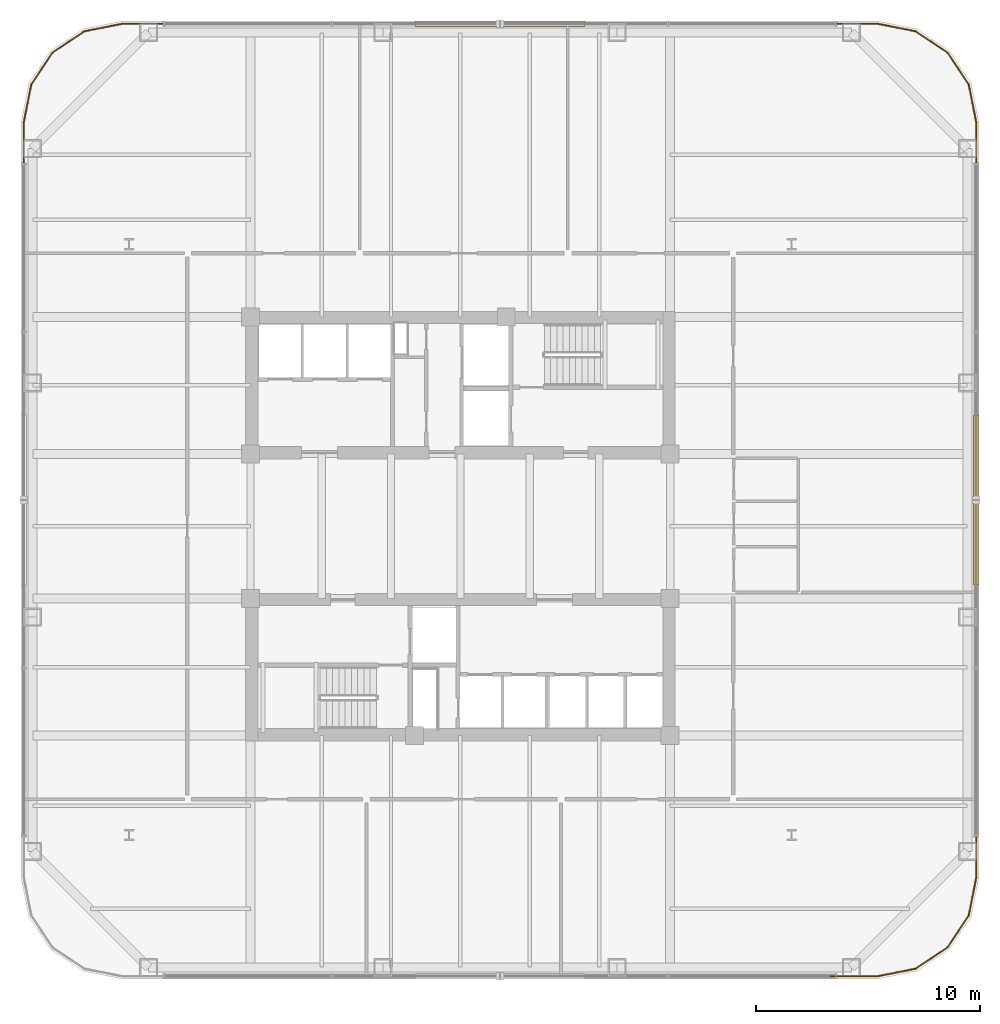
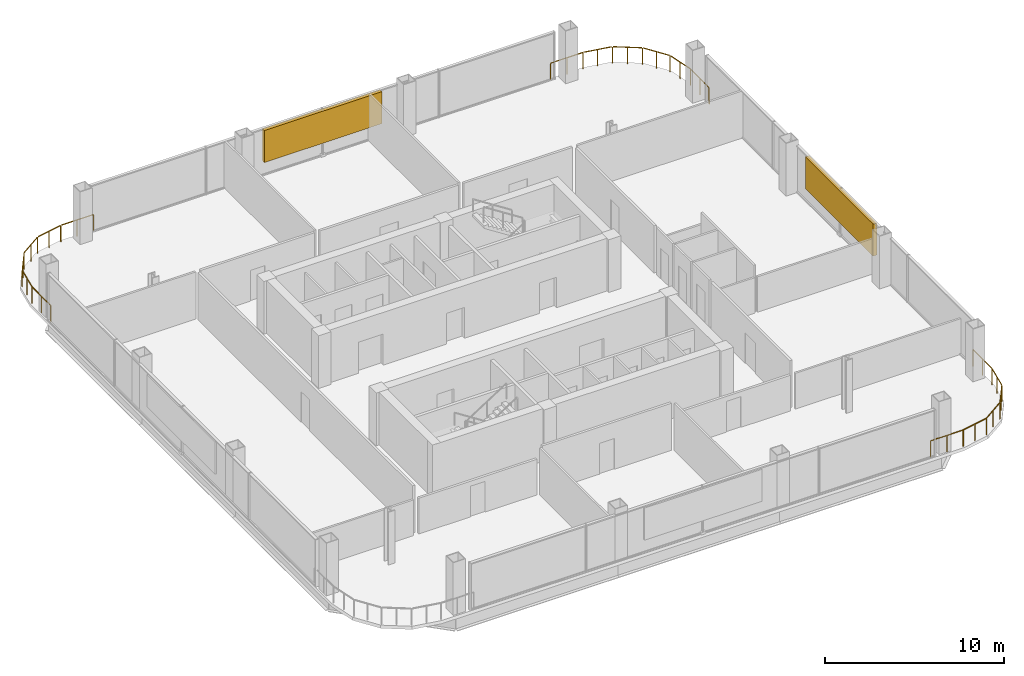
# One storey, part 24 of 24: 4 railings, 2 shading devices.
"""IFC4 building model written with IfcOpenShell, lengths in metres."""

from ifc_helpers import new_model, si_unit, direction, frame, origin, origin_2d, place, context, subcontext, project, spatial, rectangle, extrude, material, type_object, element, save


model = new_model("IFC4")

# Units and contexts
model_context = context("Model", 3, precision=1e-05, world=origin(), true_north=direction((0.0, 1.0)))
body_context = subcontext(model_context, "Body", "Model", "MODEL_VIEW")
ifc_project = project(units=[si_unit("LENGTHUNIT", "METRE"), si_unit("AREAUNIT", "SQUARE_METRE"), si_unit("VOLUMEUNIT", "CUBIC_METRE"), si_unit("PLANEANGLEUNIT", "RADIAN"), si_unit("MASSUNIT", "GRAM", prefix="KILO")], contexts=[model_context])

# Site, building, storey
site_placement = place(None, origin())
site = spatial("IfcSite", under=ifc_project, at=site_placement, CompositionType="ELEMENT")
building_placement = place(site_placement, origin())
building = spatial("IfcBuilding", under=site, at=building_placement, Name="Qhalaya Broadcast Tower", CompositionType="ELEMENT")
storey_placement = place(building_placement, frame((0.0, 0.0, 61.5)))
storey = spatial("IfcBuildingStorey", under=building, at=storey_placement, Name="L17", CompositionType="ELEMENT", Elevation=61.5)

# Railings
ifc_material_1 = material(Name="Powder-Coated Galvanised Steel", Category="steel")
railing_type = type_object("IfcRailingType", Name="Terrace, Sky-Pool & Lookout Glass Balustrade 1150", PredefinedType="BALUSTRADE", material=ifc_material_1)
railing_1_placement = place(storey_placement, frame((18.658203125, -19.510009765625, 0.0)))
element("IfcRailing", 1, at=railing_1_placement, inside=storey, type_object=railing_type, Name="L17 Rounded Corner Perimeter Guard 01", PredefinedType="BALUSTRADE", context=body_context, shape_type="SweptSolid", body=[
    extrude(rectangle(XDim=0.048095703125, YDim=0.048095703125, at=origin_2d()), frame((0.0, 0.0, 1.1259765625), z_axis=(-1.0, 0.0, 0.0), x_axis=(0.0, -1.0, 0.0)), (0.0, 0.0, 1.0), 2.1181640625),
    extrude(rectangle(XDim=0.0419921875, YDim=0.0419921875, at=origin_2d()), origin(), (0.0, 0.0, 1.0), 1.099853515625),
    extrude(rectangle(XDim=0.0419921875, YDim=0.0419921875, at=origin_2d()), frame((-1.05908203125, 0.0, 0.0)), (0.0, 0.0, 1.0), 1.099853515625),
    extrude(rectangle(XDim=0.0419921875, YDim=0.0419921875, at=origin_2d()), frame((-2.1181640625, 0.0, 0.0)), (0.0, 0.0, 1.0), 1.099853515625),
])
railing_2_placement = place(storey_placement, frame((-19.510009765625, 16.5400390625, 0.0)))
element("IfcRailing", 2, at=railing_2_placement, inside=storey, type_object=railing_type, Name="L17 Rounded Corner Perimeter Guard 03", PredefinedType="BALUSTRADE", context=body_context, shape_type="SweptSolid", body=[
    extrude(rectangle(XDim=0.048095703125, YDim=0.048095703125, at=origin_2d()), frame((0.0, 0.0, 1.1259765625), z_axis=(0.0, 1.0, 0.0), x_axis=(-1.0, 0.0, 0.0)), (0.0, 0.0, 1.0), 2.08935546875),
    extrude(rectangle(XDim=0.048095703125, YDim=0.048095703125, at=origin_2d()), frame((0.005615234375, 2.146484375, 1.1259765625), z_axis=(0.195024175165, 0.980798435511, 0.0), x_axis=(-0.980798435511, 0.195024175165, 0.0)), (0.0, 0.0, 1.0), 1.662353515625),
    extrude(rectangle(XDim=0.048095703125, YDim=0.048095703125, at=origin_2d()), frame((0.3515625, 3.8291015625, 1.1259765625), z_axis=(0.555590476887, 0.831456085426, 0.0), x_axis=(-0.831456085426, 0.555590476887, 0.0)), (0.0, 0.0, 1.0), 1.650390625),
    extrude(rectangle(XDim=0.048095703125, YDim=0.048095703125, at=origin_2d()), frame((1.308349609375, 5.241455078125, 1.1259765625), z_axis=(0.831390055854, 0.555689279209, 0.0), x_axis=(-0.555689279209, 0.831390055854, 0.0)), (0.0, 0.0, 1.0), 1.650390625),
    extrude(rectangle(XDim=0.048095703125, YDim=0.048095703125, at=origin_2d()), frame((2.73291015625, 6.18017578125, 1.1259765625), z_axis=(0.980803832953, 0.194997028864, 0.0), x_axis=(-0.194997028864, 0.980803832953, 0.0)), (0.0, 0.0, 1.0), 1.66259765625),
    extrude(rectangle(XDim=0.048095703125, YDim=0.048095703125, at=origin_2d()), frame((4.420654296875, 6.510009765625, 1.1259765625), z_axis=(1.0, 0.0, 0.0), x_axis=(0.0, 1.0, 0.0)), (0.0, 0.0, 1.0), 2.08935546875),
    extrude(rectangle(XDim=0.0419921875, YDim=0.0419921875, at=origin_2d()), origin(), (0.0, 0.0, 1.0), 1.099853515625),
    extrude(rectangle(XDim=0.0419921875, YDim=0.0419921875, at=origin_2d()), frame((0.0, 1.05908203125, 0.0)), (0.0, 0.0, 1.0), 1.099853515625),
    extrude(rectangle(XDim=0.0419921875, YDim=0.0419921875, at=origin_2d()), frame((0.0, 2.1181640625, 0.0)), (0.0, 0.0, 1.0), 1.099853515625),
    extrude(rectangle(XDim=0.0419921875, YDim=0.0419921875, at=origin_2d()), frame((0.167724609375, 2.961669921875, 0.0)), (0.0, 0.0, 1.0), 1.099853515625),
    extrude(rectangle(XDim=0.0419921875, YDim=0.0419921875, at=origin_2d()), frame((0.33544921875, 3.80517578125, 0.0)), (0.0, 0.0, 1.0), 1.099853515625),
    extrude(rectangle(XDim=0.0419921875, YDim=0.0419921875, at=origin_2d()), frame((0.81005859375, 4.51513671875, 0.0)), (0.0, 0.0, 1.0), 1.099853515625),
    extrude(rectangle(XDim=0.0419921875, YDim=0.0419921875, at=origin_2d()), frame((1.284423828125, 5.225341796875, 0.0)), (0.0, 0.0, 1.0), 1.099853515625),
    extrude(rectangle(XDim=0.0419921875, YDim=0.0419921875, at=origin_2d()), frame((1.99462890625, 5.699951171875, 0.0)), (0.0, 0.0, 1.0), 1.099853515625),
    extrude(rectangle(XDim=0.0419921875, YDim=0.0419921875, at=origin_2d()), frame((2.70458984375, 6.174560546875, 0.0)), (0.0, 0.0, 1.0), 1.099853515625),
    extrude(rectangle(XDim=0.0419921875, YDim=0.0419921875, at=origin_2d()), frame((3.54833984375, 6.34228515625, 0.0)), (0.0, 0.0, 1.0), 1.099853515625),
    extrude(rectangle(XDim=0.0419921875, YDim=0.0419921875, at=origin_2d()), frame((4.391845703125, 6.510009765625, 0.0)), (0.0, 0.0, 1.0), 1.099853515625),
    extrude(rectangle(XDim=0.0419921875, YDim=0.0419921875, at=origin_2d()), frame((5.450927734375, 6.510009765625, 0.0)), (0.0, 0.0, 1.0), 1.099853515625),
    extrude(rectangle(XDim=0.0419921875, YDim=0.0419921875, at=origin_2d()), frame((6.510009765625, 6.510009765625, 0.0)), (0.0, 0.0, 1.0), 1.099853515625),
])
railing_3_placement = place(storey_placement, frame((16.5400390625, 23.050048828125, 0.0)))
element("IfcRailing", 3, at=railing_3_placement, inside=storey, type_object=railing_type, Name="L17 Rounded Corner Perimeter Guard 04", PredefinedType="BALUSTRADE", context=body_context, shape_type="SweptSolid", body=[
    extrude(rectangle(XDim=0.048095703125, YDim=0.048095703125, at=origin_2d()), frame((0.0, 0.0, 1.1259765625), z_axis=(1.0, 0.0, 0.0), x_axis=(0.0, 1.0, 0.0)), (0.0, 0.0, 1.0), 2.08935546875),
    extrude(rectangle(XDim=0.048095703125, YDim=0.048095703125, at=origin_2d()), frame((2.146484375, -0.005615234375, 1.1259765625), z_axis=(0.980798435511, -0.195024175165, 0.0), x_axis=(0.195024175165, 0.980798435511, 0.0)), (0.0, 0.0, 1.0), 1.662353515625),
    extrude(rectangle(XDim=0.048095703125, YDim=0.048095703125, at=origin_2d()), frame((3.8291015625, -0.3515625, 1.1259765625), z_axis=(0.831390055854, -0.555689279209, 0.0), x_axis=(0.555689279209, 0.831390055854, 0.0)), (0.0, 0.0, 1.0), 1.650390625),
    extrude(rectangle(XDim=0.048095703125, YDim=0.048095703125, at=origin_2d()), frame((5.241455078125, -1.30859375, 1.1259765625), z_axis=(0.555689279209, -0.831390055854, 0.0), x_axis=(0.831390055854, 0.555689279209, 0.0)), (0.0, 0.0, 1.0), 1.650390625),
    extrude(rectangle(XDim=0.048095703125, YDim=0.048095703125, at=origin_2d()), frame((6.18017578125, -2.733154296875, 1.1259765625), z_axis=(0.195024175165, -0.980798435511, 0.0), x_axis=(0.980798435511, 0.195024175165, 0.0)), (0.0, 0.0, 1.0), 1.662353515625),
    extrude(rectangle(XDim=0.048095703125, YDim=0.048095703125, at=origin_2d()), frame((6.510009765625, -4.420654296875, 1.1259765625), z_axis=(0.0, -1.0, 0.0), x_axis=(1.0, 0.0, 0.0)), (0.0, 0.0, 1.0), 2.08935546875),
    extrude(rectangle(XDim=0.0419921875, YDim=0.0419921875, at=origin_2d()), origin(), (0.0, 0.0, 1.0), 1.099853515625),
    extrude(rectangle(XDim=0.0419921875, YDim=0.0419921875, at=origin_2d()), frame((1.05908203125, 0.0, 0.0)), (0.0, 0.0, 1.0), 1.099853515625),
    extrude(rectangle(XDim=0.0419921875, YDim=0.0419921875, at=origin_2d()), frame((2.1181640625, 0.0, 0.0)), (0.0, 0.0, 1.0), 1.099853515625),
    extrude(rectangle(XDim=0.0419921875, YDim=0.0419921875, at=origin_2d()), frame((2.961669921875, -0.167724609375, 0.0)), (0.0, 0.0, 1.0), 1.099853515625),
    extrude(rectangle(XDim=0.0419921875, YDim=0.0419921875, at=origin_2d()), frame((3.80517578125, -0.33544921875, 0.0)), (0.0, 0.0, 1.0), 1.099853515625),
    extrude(rectangle(XDim=0.0419921875, YDim=0.0419921875, at=origin_2d()), frame((4.51513671875, -0.81005859375, 0.0)), (0.0, 0.0, 1.0), 1.099853515625),
    extrude(rectangle(XDim=0.0419921875, YDim=0.0419921875, at=origin_2d()), frame((5.225341796875, -1.28466796875, 0.0)), (0.0, 0.0, 1.0), 1.099853515625),
    extrude(rectangle(XDim=0.0419921875, YDim=0.0419921875, at=origin_2d()), frame((5.699951171875, -1.99462890625, 0.0)), (0.0, 0.0, 1.0), 1.099853515625),
    extrude(rectangle(XDim=0.0419921875, YDim=0.0419921875, at=origin_2d()), frame((6.174560546875, -2.704833984375, 0.0)), (0.0, 0.0, 1.0), 1.099853515625),
    extrude(rectangle(XDim=0.0419921875, YDim=0.0419921875, at=origin_2d()), frame((6.34228515625, -3.54833984375, 0.0)), (0.0, 0.0, 1.0), 1.099853515625),
    extrude(rectangle(XDim=0.0419921875, YDim=0.0419921875, at=origin_2d()), frame((6.510009765625, -4.391845703125, 0.0)), (0.0, 0.0, 1.0), 1.099853515625),
    extrude(rectangle(XDim=0.0419921875, YDim=0.0419921875, at=origin_2d()), frame((6.510009765625, -5.450927734375, 0.0)), (0.0, 0.0, 1.0), 1.099853515625),
    extrude(rectangle(XDim=0.0419921875, YDim=0.0419921875, at=origin_2d()), frame((6.510009765625, -6.510009765625, 0.0)), (0.0, 0.0, 1.0), 1.099853515625),
])
railing_4_placement = place(storey_placement, frame((23.050048828125, -13.0, 0.0)))
element("IfcRailing", 4, at=railing_4_placement, inside=storey, type_object=railing_type, Name="L17 Rounded Corner Perimeter Guard 05", PredefinedType="BALUSTRADE", context=body_context, shape_type="SweptSolid", body=[
    extrude(rectangle(XDim=0.048095703125, YDim=0.048095703125, at=origin_2d()), frame((0.0, 0.0, 1.1259765625), z_axis=(0.0, -1.0, 0.0), x_axis=(1.0, 0.0, 0.0)), (0.0, 0.0, 1.0), 2.08935546875),
    extrude(rectangle(XDim=0.048095703125, YDim=0.048095703125, at=origin_2d()), frame((-0.005615234375, -2.146484375, 1.1259765625), z_axis=(-0.194997028864, -0.980803832953, 0.0), x_axis=(0.980803832953, -0.194997028864, 0.0)), (0.0, 0.0, 1.0), 1.66259765625),
    extrude(rectangle(XDim=0.048095703125, YDim=0.048095703125, at=origin_2d()), frame((-0.3515625, -3.829345703125, 1.1259765625), z_axis=(-0.555689279209, -0.831390055854, 0.0), x_axis=(0.831390055854, -0.555689279209, 0.0)), (0.0, 0.0, 1.0), 1.650390625),
    extrude(rectangle(XDim=0.048095703125, YDim=0.048095703125, at=origin_2d()), frame((-1.30859375, -5.24169921875, 1.1259765625), z_axis=(-0.831456085426, -0.555590476887, 0.0), x_axis=(0.555590476887, -0.831456085426, 0.0)), (0.0, 0.0, 1.0), 1.650390625),
    extrude(rectangle(XDim=0.048095703125, YDim=0.048095703125, at=origin_2d()), frame((-2.733154296875, -6.18017578125, 1.1259765625), z_axis=(-0.980798435511, -0.195024175165, 0.0), x_axis=(0.195024175165, -0.980798435511, 0.0)), (0.0, 0.0, 1.0), 1.691162109375),
    extrude(rectangle(XDim=0.0419921875, YDim=0.0419921875, at=origin_2d()), origin(), (0.0, 0.0, 1.0), 1.099853515625),
    extrude(rectangle(XDim=0.0419921875, YDim=0.0419921875, at=origin_2d()), frame((0.0, -1.05908203125, 0.0)), (0.0, 0.0, 1.0), 1.099853515625),
    extrude(rectangle(XDim=0.0419921875, YDim=0.0419921875, at=origin_2d()), frame((0.0, -2.1181640625, 0.0)), (0.0, 0.0, 1.0), 1.099853515625),
    extrude(rectangle(XDim=0.0419921875, YDim=0.0419921875, at=origin_2d()), frame((-0.167724609375, -2.9619140625, 0.0)), (0.0, 0.0, 1.0), 1.099853515625),
    extrude(rectangle(XDim=0.0419921875, YDim=0.0419921875, at=origin_2d()), frame((-0.33544921875, -3.805419921875, 0.0)), (0.0, 0.0, 1.0), 1.099853515625),
    extrude(rectangle(XDim=0.0419921875, YDim=0.0419921875, at=origin_2d()), frame((-0.81005859375, -4.515625, 0.0)), (0.0, 0.0, 1.0), 1.099853515625),
    extrude(rectangle(XDim=0.0419921875, YDim=0.0419921875, at=origin_2d()), frame((-1.28466796875, -5.2255859375, 0.0)), (0.0, 0.0, 1.0), 1.099853515625),
    extrude(rectangle(XDim=0.0419921875, YDim=0.0419921875, at=origin_2d()), frame((-1.99462890625, -5.7001953125, 0.0)), (0.0, 0.0, 1.0), 1.099853515625),
    extrude(rectangle(XDim=0.0419921875, YDim=0.0419921875, at=origin_2d()), frame((-2.704833984375, -6.174560546875, 0.0)), (0.0, 0.0, 1.0), 1.099853515625),
    extrude(rectangle(XDim=0.0419921875, YDim=0.0419921875, at=origin_2d()), frame((-3.54833984375, -6.34228515625, 0.0)), (0.0, 0.0, 1.0), 1.099853515625),
    extrude(rectangle(XDim=0.0419921875, YDim=0.0419921875, at=origin_2d()), frame((-4.391845703125, -6.510009765625, 0.0)), (0.0, 0.0, 1.0), 1.099853515625),
])

# Shading devices
ifc_material_2 = material(Name="Fired Architectural Terracotta", Category="masonry")
shading_device_type = type_object("IfcShadingDeviceType", Name="Terracotta Baguette Solar Screen Assembly TBS-01", PredefinedType="USERDEFINED", material=ifc_material_2)
for number, where, z_axis, x_axis, name in (
    (5, (23.050048828125, 1.77001953125, 0.9013671875), (0.0, 0.0, 1.0), (0.0, 1.0, 0.0), "L17 Fired Terracotta Baguette Screen E"),
    (6, (1.77001953125, 23.050048828125, 0.9013671875), (0.0, 0.0, 1.0), (-1.0, 0.0, 0.0), "L17 Fired Terracotta Baguette Screen N"),
):
    element("IfcShadingDevice", number, at=place(storey_placement, frame(where, z_axis=z_axis, x_axis=x_axis)), inside=storey, type_object=shading_device_type, Name=name, ObjectType="BAGUETTE", PredefinedType="USERDEFINED", context=body_context, shape_type="SweptSolid", body=[
        extrude(rectangle(XDim=7.60009765625, YDim=0.239990234375, at=origin_2d()), origin(), (0.0, 0.0, 1.0), 2.18994140625),
    ])

save(model, "model.ifc")
